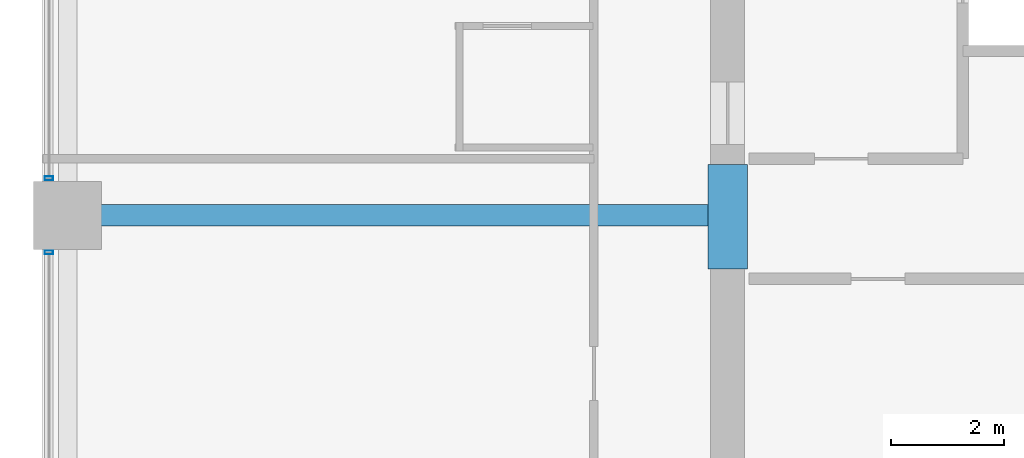
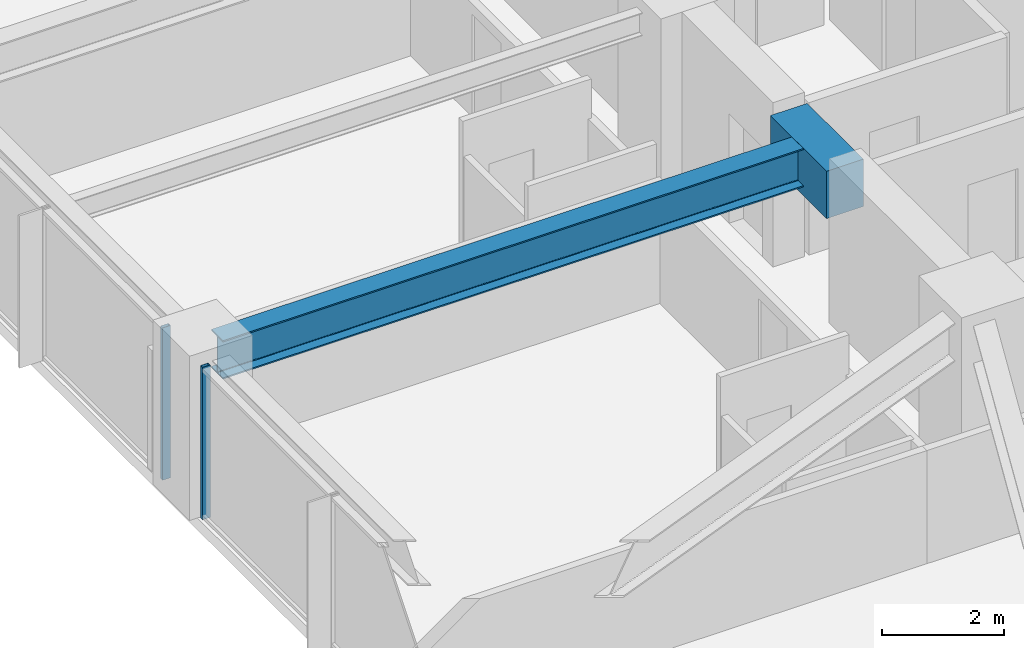
# One storey, part 8 of 38: 2 beams, 2 members, 2 elements without a shape of their own.
"""IFC4 building model written with IfcOpenShell, lengths in metres."""

from ifc_helpers import new_model, si_unit, direction, frame, origin, origin_2d, place, context, subcontext, project, spatial, rectangle, hollow_rectangle, i_section, extrude, material, material_profile, profile_set, type_object, element, aggregate, save


model = new_model("IFC4")

# Units and contexts
model_context = context("Model", 3, precision=1e-05, world=origin(), true_north=direction((0.0, 1.0)))
body_context = subcontext(model_context, "Body", "Model", "MODEL_VIEW")
ifc_project = project(units=[si_unit("LENGTHUNIT", "METRE"), si_unit("AREAUNIT", "SQUARE_METRE"), si_unit("VOLUMEUNIT", "CUBIC_METRE"), si_unit("PLANEANGLEUNIT", "RADIAN"), si_unit("MASSUNIT", "GRAM", prefix="KILO")], contexts=[model_context])

# Site, building, storey
site_placement = place(None, origin())
site = spatial("IfcSite", under=ifc_project, at=site_placement, CompositionType="ELEMENT")
building_placement = place(site_placement, origin())
building = spatial("IfcBuilding", under=site, at=building_placement, Name="Kolvaren Belvedere", CompositionType="ELEMENT")
storey_placement = place(building_placement, frame((0.0, 0.0, 30.39990234375)))
storey = spatial("IfcBuildingStorey", under=building, at=storey_placement, Name="L08", CompositionType="ELEMENT", Elevation=30.39990234375)

# Beams
ifc_material_1 = material(Name="Structural steel ASTM A992 Grade 50", Category="steel")
ifc_material_profile_1 = material_profile(ifc_material_1, i_section(OverallWidth=0.381103515625, OverallDepth=0.77294921875, WebThickness=0.0166015625, FlangeThickness=0.027099609375, FilletRadius=0.02392578125, at=origin_2d()), Name="W30X173")
ifc_profile_set_1 = profile_set([ifc_material_profile_1], Name="Structural steel ASTM A992 Grade 50")
beam_type_1 = type_object("IfcBeamType", Name="BM-GIRD-W30X173", PredefinedType="BEAM", material=ifc_profile_set_1)
beam_1_placement = place(storey_placement, frame((-10.199951171875, -4.60009765625, 2.673583984375), z_axis=(-1.0, 0.0, 0.0), x_axis=(0.0, -1.0, 0.0)))
element("IfcBeam", 1, at=beam_1_placement, inside=storey, type_object=beam_type_1, Name="L08 West Radial Girder M", PredefinedType="BEAM", context=body_context, shape_type="SweptSolid", body=[
    extrude(i_section(OverallWidth=0.381103515625, OverallDepth=0.77294921875, WebThickness=0.0166015625, FlangeThickness=0.027099609375, FilletRadius=0.02392578125, at=origin_2d()), origin(), (0.0, 0.0, 1.0), 11.080078125),
])
ifc_material_2 = material(Name="Concrete C60/75", Category="concrete")
ifc_material_profile_2 = material_profile(ifc_material_2, rectangle(XDim=0.699951171875, YDim=0.949951171875, at=origin_2d()), Name="RC 700X950")
ifc_profile_set_2 = profile_set([ifc_material_profile_2], Name="Concrete C60/75")
beam_type_2 = type_object("IfcBeamType", Name="BM-LINT-950", PredefinedType="LINTEL", material=ifc_profile_set_2)
beam_2_placement = place(storey_placement, frame((-9.89990234375, -5.550048828125, 2.585205078125), z_axis=(0.0, 1.0, 0.0), x_axis=(-1.0, 0.0, 0.0)))
element("IfcBeam", 2, at=beam_2_placement, inside=storey, type_object=beam_type_2, Name="L08 West Core Coupling Lintel", PredefinedType="LINTEL", context=body_context, shape_type="SweptSolid", body=[
    extrude(rectangle(XDim=0.699951171875, YDim=0.949951171875, at=origin_2d()), origin(), (0.0, 0.0, 1.0), 1.85009765625),
])

# Curtain wall, member
ifc_material_3 = material(Name="Anodised pale-metal aluminium AA 6063-T6", Category="aluminium")
curtain_wall_type = type_object("IfcCurtainWallType", Name="CW-Z1-LOW", PredefinedType="NOTDEFINED", material=ifc_material_3)
curtain_wall_1_placement = place(storey_placement, origin())
curtain_wall_1 = element("IfcCurtainWall", 3, at=curtain_wall_1_placement, inside=storey, type_object=curtain_wall_type, Name="L08 Unitised Curtain Wall FCW-L08-W-B1", PredefinedType="NOTDEFINED")
ifc_material_4 = material(Name="Anodised pale-metal aluminium AA 6063-T6", Category="aluminium")
ifc_material_profile_3 = material_profile(ifc_material_4, hollow_rectangle(XDim=0.070068359375, YDim=0.14990234375, WallThickness=0.004150390625, at=origin_2d()), Name="ALU-MUL-150X70")
ifc_profile_set_3 = profile_set([ifc_material_profile_3], Name="Anodised pale-metal aluminium AA 6063-T6")
member_type = type_object("IfcMemberType", Name="CW-MUL-150", PredefinedType="MULLION", material=ifc_profile_set_3)
member_1_placement = place(storey_placement, frame((-21.8798828125, -5.2548828125, 0.0), z_axis=(0.0, 0.0, 1.0), x_axis=(0.0, 1.0, 0.0)))
member_1 = element("IfcMember", 4, at=member_1_placement, type_object=member_type, Name="FCW-L08-W-B1 Unitised Mullion 3", PredefinedType="MULLION", context=body_context, shape_type="SweptSolid", body=[
    extrude(hollow_rectangle(XDim=0.070068359375, YDim=0.14990234375, WallThickness=0.004150390625, at=origin_2d()), origin(), (0.0, 0.0, 1.0), 3.06005859375),
])
aggregate(curtain_wall_1, [member_1])

curtain_wall_2_placement = place(storey_placement, origin())
curtain_wall_2 = element("IfcCurtainWall", 5, at=curtain_wall_2_placement, inside=storey, type_object=curtain_wall_type, Name="L08 Unitised Curtain Wall FCW-L08-W-B2", PredefinedType="NOTDEFINED")
member_2_placement = place(storey_placement, frame((-21.8798828125, -3.945068359375, 0.0), z_axis=(0.0, 0.0, 1.0), x_axis=(0.0, 1.0, 0.0)))
member_2 = element("IfcMember", 6, at=member_2_placement, type_object=member_type, Name="FCW-L08-W-B2 Unitised Mullion 1", PredefinedType="MULLION", context=body_context, shape_type="SweptSolid", body=[
    extrude(hollow_rectangle(XDim=0.070068359375, YDim=0.14990234375, WallThickness=0.004150390625, at=origin_2d()), origin(), (0.0, 0.0, 1.0), 3.06005859375),
])
aggregate(curtain_wall_2, [member_2])

save(model, "model.ifc")
